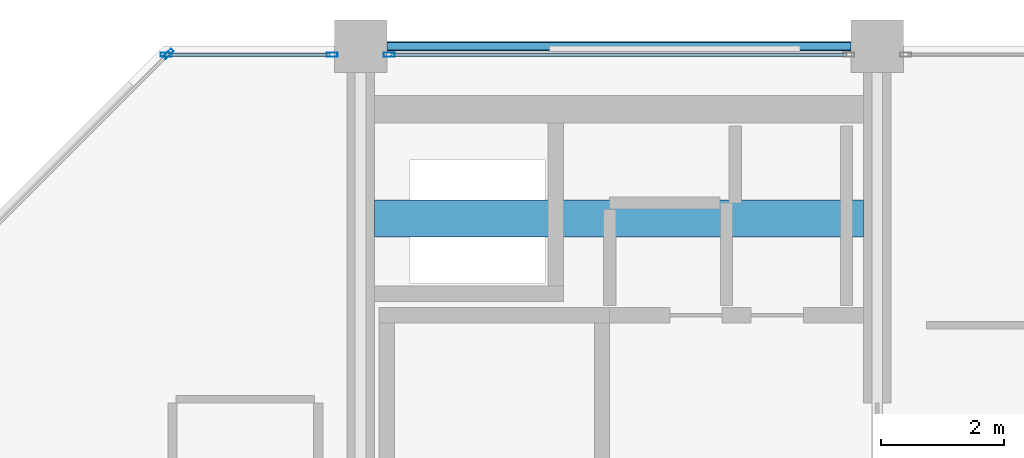
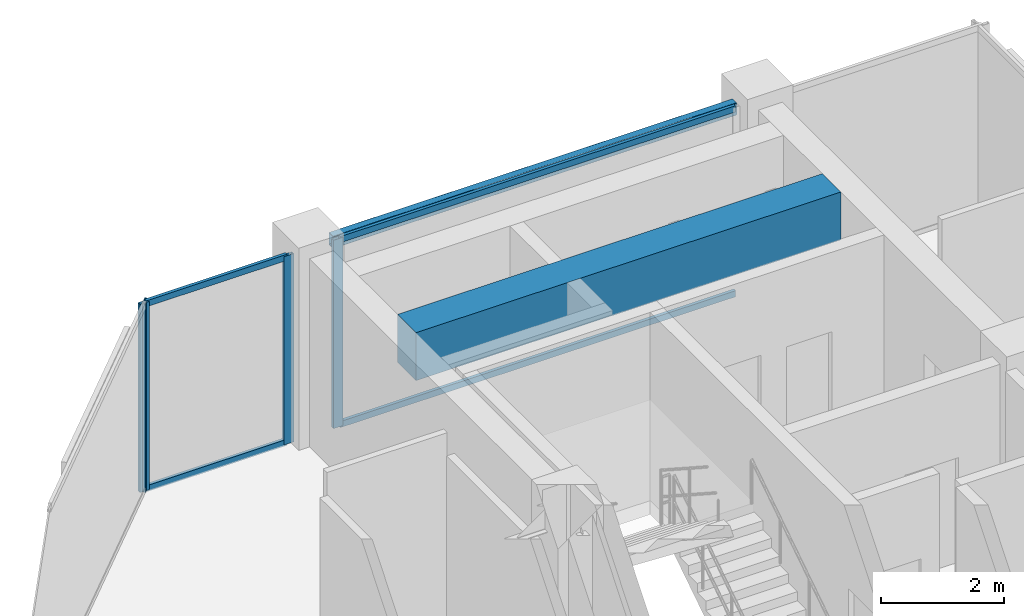
# One storey, part 18 of 26: 8 members, 2 beams, 3 elements without a shape of their own.
"""IFC4 building model written with IfcOpenShell, lengths in metres."""

from ifc_helpers import new_model, si_unit, direction, frame, origin, origin_2d, place, context, subcontext, project, spatial, rectangle, hollow_rectangle, extrude, material, layer, layer_set, material_profile, profile_set, type_object, element, aggregate, save


model = new_model("IFC4")

# Units and contexts
model_context = context("Model", 3, precision=1e-05, world=origin(), true_north=direction((0.0, 1.0)))
body_context = subcontext(model_context, "Body", "Model", "MODEL_VIEW")
ifc_project = project(units=[si_unit("LENGTHUNIT", "METRE"), si_unit("AREAUNIT", "SQUARE_METRE"), si_unit("VOLUMEUNIT", "CUBIC_METRE"), si_unit("PLANEANGLEUNIT", "RADIAN"), si_unit("MASSUNIT", "GRAM", prefix="KILO")], contexts=[model_context])

# Site, building, storey
site_placement = place(None, origin())
site = spatial("IfcSite", under=ifc_project, at=site_placement, CompositionType="ELEMENT")
building_placement = place(site_placement, origin())
building = spatial("IfcBuilding", under=site, at=building_placement, Name="Nerrivon Quay Data Exchange", CompositionType="ELEMENT")
storey_placement = place(building_placement, frame((0.0, 0.0, 270.199951171875)))
storey = spatial("IfcBuildingStorey", under=building, at=storey_placement, Name="L64", CompositionType="ELEMENT", Elevation=270.199951171875)

# Beams
ifc_material_1 = material(Name="Concrete N50 (50 MPa)", Category="concrete")
ifc_material_profile_1 = material_profile(ifc_material_1, rectangle(XDim=0.60009765625, YDim=0.949951171875, at=origin_2d()), Name="RC-CB-600x950")
ifc_profile_set_1 = profile_set([ifc_material_profile_1], Name="Concrete N50 (50 MPa)")
beam_type_1 = type_object("IfcBeamType", Name="BM-CB2-600x950", PredefinedType="LINTEL", material=ifc_profile_set_1)
beam_1_placement = place(storey_placement, frame((8.625, 39.199951171875, 3.25), z_axis=(1.0, 0.0, 0.0), x_axis=(0.0, 1.0, 0.0)))
element("IfcBeam", 1, at=beam_1_placement, inside=storey, type_object=beam_type_1, Name="L64 West Core Coupling Beam", PredefinedType="LINTEL", context=body_context, shape_type="SweptSolid", body=[
    extrude(rectangle(XDim=0.60009765625, YDim=0.949951171875, at=origin_2d()), origin(), (0.0, 0.0, 1.0), 7.949951171875),
])
ifc_material_2 = material(Name="Steel Grade C350L0 (350 MPa)", Category="steel")
ifc_material_profile_2 = material_profile(ifc_material_2, hollow_rectangle(XDim=0.14990234375, YDim=0.25, WallThickness=0.009033203125, InnerFilletRadius=0.013427734375, OuterFilletRadius=0.0224609375, at=origin_2d()), Name="250x150x9.0RHS")
ifc_profile_set_2 = profile_set([ifc_material_profile_2], Name="Steel Grade C350L0 (350 MPa)")
beam_type_2 = type_object("IfcBeamType", Name="BM-SP4-250x150RHS", PredefinedType="SPANDREL", material=ifc_profile_set_2)
beam_2_placement = place(storey_placement, frame((8.824951171875, 42.0, 3.60009765625), z_axis=(1.0, 0.0, 0.0), x_axis=(0.0, 1.0, 0.0)))
element("IfcBeam", 2, at=beam_2_placement, inside=storey, type_object=beam_type_2, Name="L64 EW Girder Y=42.0 (8.4..16.8)", PredefinedType="SPANDREL", context=body_context, shape_type="SweptSolid", body=[
    extrude(hollow_rectangle(XDim=0.14990234375, YDim=0.25, WallThickness=0.009033203125, InnerFilletRadius=0.013427734375, OuterFilletRadius=0.0224609375, at=origin_2d()), origin(), (0.0, 0.0, 1.0), 7.550048828125),
])

# Curtain wall, member
ifc_material_3 = material(Name="Anodised aluminium 6063-T6", Category="aluminium")
ifc_layer = layer(ifc_material_3, 0.195068359375)
ifc_layer_set = layer_set([ifc_layer], Name="Anodised aluminium 6063-T6")
curtain_wall_type = type_object("IfcCurtainWallType", Name="CW-SYS-06", PredefinedType="NOTDEFINED", material=ifc_layer_set)
curtain_wall_1_placement = place(storey_placement, origin())
curtain_wall_1 = element("IfcCurtainWall", 3, at=curtain_wall_1_placement, inside=storey, type_object=curtain_wall_type, Name="L64 Unitised Curtain Wall 16", PredefinedType="NOTDEFINED")
ifc_material_profile_3 = material_profile(ifc_material_3, hollow_rectangle(XDim=0.06494140625, YDim=0.179931640625, WallThickness=0.00341796875, at=origin_2d()), Name="ALU-MULL-180x65")
ifc_profile_set_3 = profile_set([ifc_material_profile_3], Name="Anodised aluminium 6063-T6")
member_type_1 = type_object("IfcMemberType", Name="CWM-180x65", PredefinedType="MULLION", material=ifc_profile_set_3)
member_1_placement = place(storey_placement, frame((5.2724609375, 41.87451171875, 0.0), z_axis=(0.0, 0.0, 1.0), x_axis=(-0.707106781187, 0.707106781187, 0.0)))
member_1 = element("IfcMember", 4, at=member_1_placement, type_object=member_type_1, Name="CW06 mullion 2", PredefinedType="MULLION", context=body_context, shape_type="SweptSolid", body=[
    extrude(hollow_rectangle(XDim=0.06494140625, YDim=0.179931640625, WallThickness=0.00341796875, at=origin_2d()), origin(), (0.0, 0.0, 1.0), 3.72509765625),
])
aggregate(curtain_wall_1, [member_1])

# Curtain wall, members
curtain_wall_2_placement = place(storey_placement, origin())
curtain_wall_2 = element("IfcCurtainWall", 5, at=curtain_wall_2_placement, inside=storey, type_object=curtain_wall_type, Name="L64 Unitised Curtain Wall 17", PredefinedType="NOTDEFINED")
member_2_placement = place(storey_placement, frame((5.237548828125, 41.860107421875, 0.0), z_axis=(0.0, 0.0, 1.0), x_axis=(0.0, 1.0, 0.0)))
member_2 = element("IfcMember", 6, at=member_2_placement, type_object=member_type_1, Name="CW06 mullion 1", PredefinedType="MULLION", context=body_context, shape_type="SweptSolid", body=[
    extrude(hollow_rectangle(XDim=0.06494140625, YDim=0.179931640625, WallThickness=0.00341796875, at=origin_2d()), origin(), (0.0, 0.0, 1.0), 3.72509765625),
])
member_3_placement = place(storey_placement, frame((7.9375, 41.860107421875, 0.0), z_axis=(0.0, 0.0, 1.0), x_axis=(0.0, 1.0, 0.0)))
member_3 = element("IfcMember", 7, at=member_3_placement, type_object=member_type_1, Name="CW06 mullion 2", PredefinedType="MULLION", context=body_context, shape_type="SweptSolid", body=[
    extrude(hollow_rectangle(XDim=0.06494140625, YDim=0.179931640625, WallThickness=0.00341796875, at=origin_2d()), origin(), (0.0, 0.0, 1.0), 3.72509765625),
])

# Curtain wall, member
curtain_wall_3_placement = place(storey_placement, origin())
curtain_wall_3 = element("IfcCurtainWall", 8, at=curtain_wall_3_placement, inside=storey, type_object=curtain_wall_type, Name="L64 Unitised Curtain Wall 18", PredefinedType="NOTDEFINED")
member_4_placement = place(storey_placement, frame((8.862548828125, 41.860107421875, 0.0), z_axis=(0.0, 0.0, 1.0), x_axis=(0.0, 1.0, 0.0)))
member_4 = element("IfcMember", 9, at=member_4_placement, type_object=member_type_1, Name="CW06 mullion 1", PredefinedType="MULLION", context=body_context, shape_type="SweptSolid", body=[
    extrude(hollow_rectangle(XDim=0.06494140625, YDim=0.179931640625, WallThickness=0.00341796875, at=origin_2d()), origin(), (0.0, 0.0, 1.0), 3.72509765625),
])

# Member
ifc_material_profile_4 = material_profile(ifc_material_3, hollow_rectangle(XDim=0.06005859375, YDim=0.1201171875, WallThickness=0.003173828125, at=origin_2d()), Name="ALU-TRAN-120x60")
ifc_profile_set_4 = profile_set([ifc_material_profile_4], Name="Anodised aluminium 6063-T6")
member_type_2 = type_object("IfcMemberType", Name="CWT-120x60", PredefinedType="USERDEFINED", material=ifc_profile_set_4)
member_5_placement = place(storey_placement, frame((5.27490234375, 41.860107421875, 0.032470703125), z_axis=(1.0, 0.0, 0.0), x_axis=(0.0, 1.0, 0.0)))
member_5 = element("IfcMember", 10, at=member_5_placement, type_object=member_type_2, Name="CW06 transom 1.1", ObjectType="TRANSOM", PredefinedType="USERDEFINED", context=body_context, shape_type="SweptSolid", body=[
    extrude(hollow_rectangle(XDim=0.06005859375, YDim=0.1201171875, WallThickness=0.003173828125, at=origin_2d()), origin(), (0.0, 0.0, 1.0), 2.625),
])

member_6_placement = place(storey_placement, frame((5.27490234375, 41.860107421875, 3.692626953125), z_axis=(1.0, 0.0, 0.0), x_axis=(0.0, 1.0, 0.0)))
member_6 = element("IfcMember", 11, at=member_6_placement, type_object=member_type_2, Name="CW06 transom 1.2", ObjectType="TRANSOM", PredefinedType="USERDEFINED", context=body_context, shape_type="SweptSolid", body=[
    extrude(hollow_rectangle(XDim=0.06005859375, YDim=0.1201171875, WallThickness=0.003173828125, at=origin_2d()), origin(), (0.0, 0.0, 1.0), 2.625),
])

aggregate(curtain_wall_2, [member_2, member_3, member_5, member_6])

member_7_placement = place(storey_placement, frame((8.89990234375, 41.860107421875, 0.032470703125), z_axis=(1.0, 0.0, 0.0), x_axis=(0.0, 1.0, 0.0)))
member_7 = element("IfcMember", 12, at=member_7_placement, type_object=member_type_2, Name="CW06 transom 1.1", ObjectType="TRANSOM", PredefinedType="USERDEFINED", context=body_context, shape_type="SweptSolid", body=[
    extrude(hollow_rectangle(XDim=0.06005859375, YDim=0.1201171875, WallThickness=0.003173828125, at=origin_2d()), origin(), (0.0, 0.0, 1.0), 7.400146484375),
])

member_8_placement = place(storey_placement, frame((8.89990234375, 41.860107421875, 3.692626953125), z_axis=(1.0, 0.0, 0.0), x_axis=(0.0, 1.0, 0.0)))
member_8 = element("IfcMember", 13, at=member_8_placement, type_object=member_type_2, Name="CW06 transom 1.2", ObjectType="TRANSOM", PredefinedType="USERDEFINED", context=body_context, shape_type="SweptSolid", body=[
    extrude(hollow_rectangle(XDim=0.06005859375, YDim=0.1201171875, WallThickness=0.003173828125, at=origin_2d()), origin(), (0.0, 0.0, 1.0), 7.400146484375),
])

aggregate(curtain_wall_3, [member_4, member_7, member_8])

save(model, "model.ifc")
